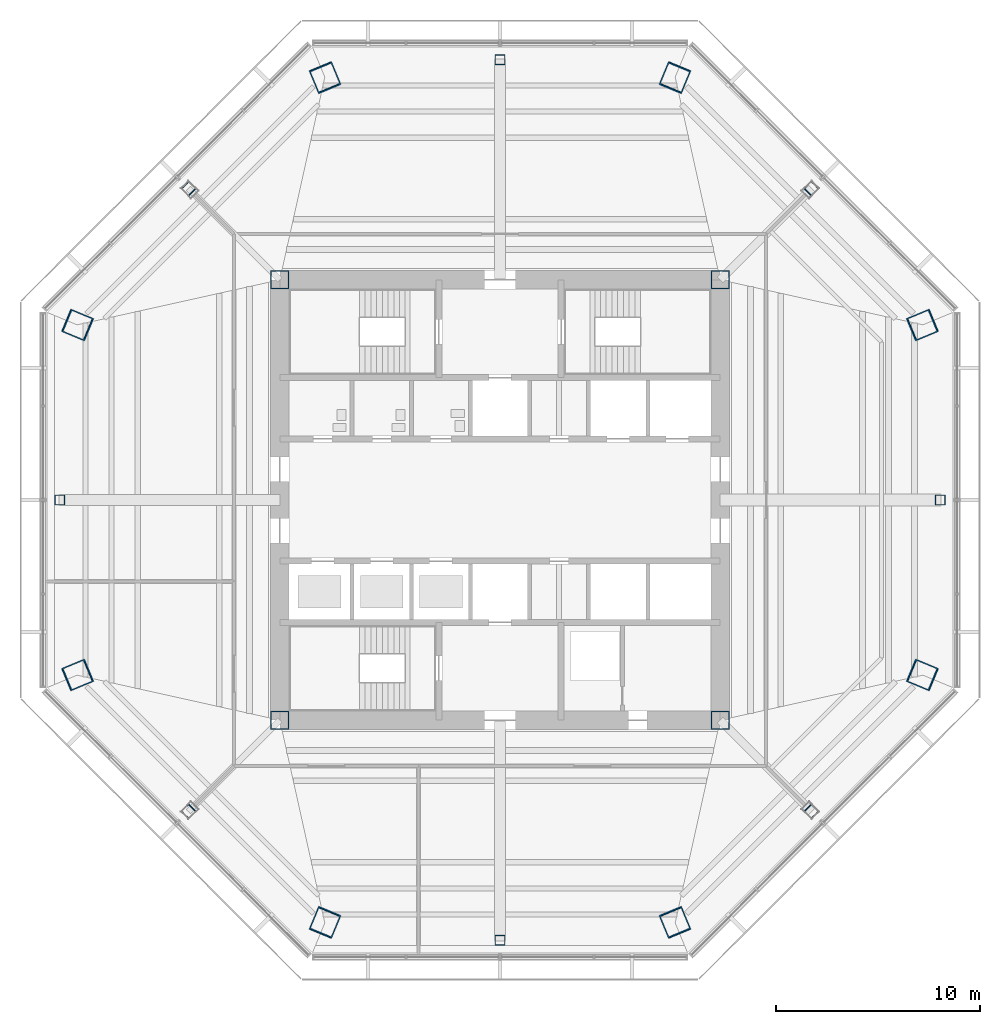
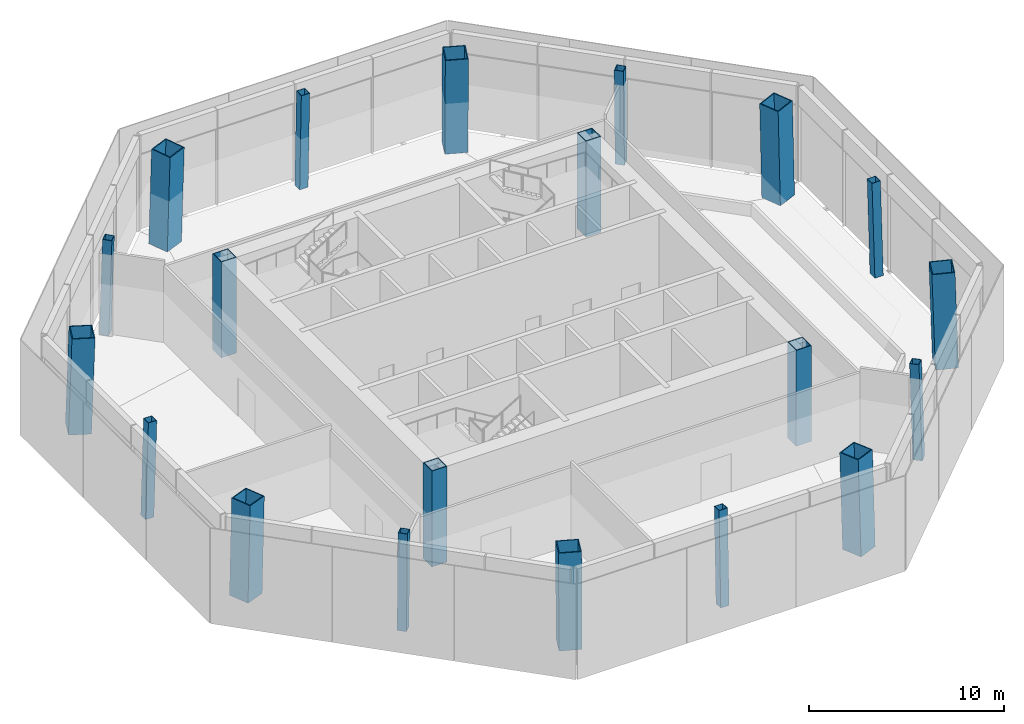
# One storey, part 1 of 13: 20 columns.
"""IFC4 building model written with IfcOpenShell, lengths in metres."""

from ifc_helpers import new_model, si_unit, direction, frame, origin, origin_2d, place, context, subcontext, project, spatial, hollow_rectangle, extrude, material, material_profile, profile_set, type_object, element, save


model = new_model("IFC4")

# Units and contexts
model_context = context("Model", 3, precision=1e-05, world=origin(), true_north=direction((0.0, 1.0)))
body_context = subcontext(model_context, "Body", "Model", "MODEL_VIEW")
ifc_project = project(units=[si_unit("LENGTHUNIT", "METRE"), si_unit("AREAUNIT", "SQUARE_METRE"), si_unit("VOLUMEUNIT", "CUBIC_METRE"), si_unit("PLANEANGLEUNIT", "RADIAN"), si_unit("MASSUNIT", "GRAM", prefix="KILO")], contexts=[model_context])

# Site, building, storey
site_placement = place(None, origin())
site = spatial("IfcSite", under=ifc_project, at=site_placement, CompositionType="ELEMENT")
building_placement = place(site_placement, origin())
building = spatial("IfcBuilding", under=site, at=building_placement, Name="Mashrafa Tower", CompositionType="ELEMENT")
storey_placement = place(building_placement, frame((0.0, 0.0, 198.0)))
storey = spatial("IfcBuildingStorey", under=building, at=storey_placement, Name="L45", CompositionType="ELEMENT", Elevation=198.0)

# Columns
ifc_material_1 = material(Name="Steel ASTM A572 Gr 50", Category="steel")
ifc_material_profile_1 = material_profile(ifc_material_1, hollow_rectangle(XDim=0.89990234375, YDim=0.89990234375, WallThickness=0.050048828125, at=origin_2d()), Name="BOX900X900X50")
ifc_profile_set_1 = profile_set([ifc_material_profile_1], Name="Steel ASTM A572 Gr 50")
column_type_1 = type_object("IfcColumnType", Name="Core corner column BOX900X900X50", PredefinedType="COLUMN", material=ifc_profile_set_1)
for number, where, z_axis, x_axis, name in (
    (1, (10.800048828125, 10.800048828125, 0.0), (0.0, 0.0, 1.0), (1.0, 0.0, 0.0), "Core corner column CC-NE L45"),
    (2, (-10.800048828125, 10.800048828125, 0.0), (0.0, 0.0, 1.0), (1.0, 0.0, 0.0), "Core corner column CC-NW L45"),
    (3, (-10.800048828125, -10.800048828125, 0.0), (0.0, 0.0, 1.0), (1.0, 0.0, 0.0), "Core corner column CC-SW L45"),
    (4, (10.800048828125, -10.800048828125, 0.0), (0.0, 0.0, 1.0), (1.0, 0.0, 0.0), "Core corner column CC-SE L45"),
):
    element("IfcColumn", number, at=place(storey_placement, frame(where, z_axis=z_axis, x_axis=x_axis)), inside=storey, type_object=column_type_1, Name=name, PredefinedType="COLUMN", context=body_context, shape_type="SweptSolid", body=[
        extrude(hollow_rectangle(XDim=0.89990234375, YDim=0.89990234375, WallThickness=0.050048828125, at=origin_2d()), origin(), (0.0, 0.0, 1.0), 6.0),
    ])
ifc_material_2 = material(Name="Steel ASTM A572 Gr 50", Category="steel")
ifc_material_profile_2 = material_profile(ifc_material_2, hollow_rectangle(XDim=1.199951171875, YDim=1.199951171875, WallThickness=0.054931640625, at=origin_2d()), Name="BOX1200X1200X55")
ifc_profile_set_2 = profile_set([ifc_material_profile_2], Name="Steel ASTM A572 Gr 50")
column_type_2 = type_object("IfcColumnType", Name="Mega column CFST BOX1200X1200X55", PredefinedType="COLUMN", material=ifc_profile_set_2)
for number, where, z_axis, x_axis, name in (
    (5, (20.7353515625, 8.5888671875, 0.0), (-0.028266381762, -0.011713263234, 0.999531795956), (0.38282136346, -0.923822387517, 0.0), "Mega column MC1 L45"),
    (6, (8.5888671875, 20.7353515625, 0.0), (-0.011713263234, -0.028266381762, 0.999531795956), (0.923822387517, -0.38282136346, 0.0), "Mega column MC2 L45"),
    (7, (-8.5888671875, 20.7353515625, 0.0), (0.011713263234, -0.028266381762, 0.999531795956), (0.923822387517, 0.38282136346, 0.0), "Mega column MC3 L45"),
    (8, (-20.7353515625, 8.5888671875, 0.0), (0.028266381762, -0.011713263234, 0.999531795956), (0.38282136346, 0.923822387517, 0.0), "Mega column MC4 L45"),
    (9, (-20.7353515625, -8.5888671875, 0.0), (0.028266381762, 0.011713263234, 0.999531795956), (-0.38282136346, 0.923822387517, 0.0), "Mega column MC5 L45"),
    (10, (-8.5888671875, -20.7353515625, 0.0), (0.011713263234, 0.028266381762, 0.999531795956), (-0.923822387517, 0.38282136346, 0.0), "Mega column MC6 L45"),
    (11, (8.5888671875, -20.7353515625, 0.0), (-0.011713263234, 0.028266381762, 0.999531795956), (-0.923822387517, -0.38282136346, 0.0), "Mega column MC7 L45"),
    (12, (20.7353515625, -8.5888671875, 0.0), (-0.028266381762, 0.011713263234, 0.999531795956), (-0.38282136346, -0.923822387517, 0.0), "Mega column MC8 L45"),
):
    element("IfcColumn", number, at=place(storey_placement, frame(where, z_axis=z_axis, x_axis=x_axis)), inside=storey, type_object=column_type_2, Name=name, PredefinedType="COLUMN", context=body_context, shape_type="SweptSolid", body=[
        extrude(hollow_rectangle(XDim=1.199951171875, YDim=1.199951171875, WallThickness=0.054931640625, at=origin_2d()), origin(), (0.0, 0.0, 1.0), 6.0029296875),
    ])
ifc_material_3 = material(Name="Steel ASTM A572 Gr 50", Category="steel")
ifc_material_profile_3 = material_profile(ifc_material_3, hollow_rectangle(XDim=0.5, YDim=0.5, WallThickness=0.02490234375, at=origin_2d()), Name="BOX500X500X25")
ifc_profile_set_3 = profile_set([ifc_material_profile_3], Name="Steel ASTM A572 Gr 50")
column_type_3 = type_object("IfcColumnType", Name="Secondary column BOX500X500X25", PredefinedType="COLUMN", material=ifc_profile_set_3)
for number, where, z_axis, x_axis, name in (
    (13, (21.613525390625, 0.0, 0.0), (-0.028268321043, 0.0, 0.999600371161), (0.0, -1.0, 0.0), "Secondary column SC1 L45"),
    (14, (15.283203125, 15.283203125, 0.0), (-0.02001151261, -0.02001151261, 0.999599459147), (0.707106781187, -0.707106781187, 0.0), "Secondary column SC2 L45"),
    (15, (0.0, 21.613525390625, 0.0), (0.0, -0.028268321043, 0.999600371161), (1.0, 0.0, 0.0), "Secondary column SC3 L45"),
    (16, (-15.283203125, 15.283203125, 0.0), (0.02001151261, -0.02001151261, 0.999599459147), (0.707106781187, 0.707106781187, 0.0), "Secondary column SC4 L45"),
    (17, (-21.613525390625, 0.0, 0.0), (0.028268321043, 0.0, 0.999600371161), (0.0, 1.0, 0.0), "Secondary column SC5 L45"),
    (18, (-15.283203125, -15.283203125, 0.0), (0.02001151261, 0.02001151261, 0.999599459147), (-0.707106781187, 0.707106781187, 0.0), "Secondary column SC6 L45"),
    (19, (0.0, -21.613525390625, 0.0), (0.0, 0.028268321043, 0.999600371161), (-1.0, 0.0, 0.0), "Secondary column SC7 L45"),
    (20, (15.283203125, -15.283203125, 0.0), (-0.02001151261, 0.02001151261, 0.999599459147), (-0.707106781187, -0.707106781187, 0.0), "Secondary column SC8 L45"),
):
    element("IfcColumn", number, at=place(storey_placement, frame(where, z_axis=z_axis, x_axis=x_axis)), inside=storey, type_object=column_type_3, Name=name, PredefinedType="COLUMN", context=body_context, shape_type="SweptSolid", body=[
        extrude(hollow_rectangle(XDim=0.5, YDim=0.5, WallThickness=0.02490234375, at=origin_2d()), origin(), (0.0, 0.0, 1.0), 6.00244140625),
    ])

save(model, "model.ifc")
